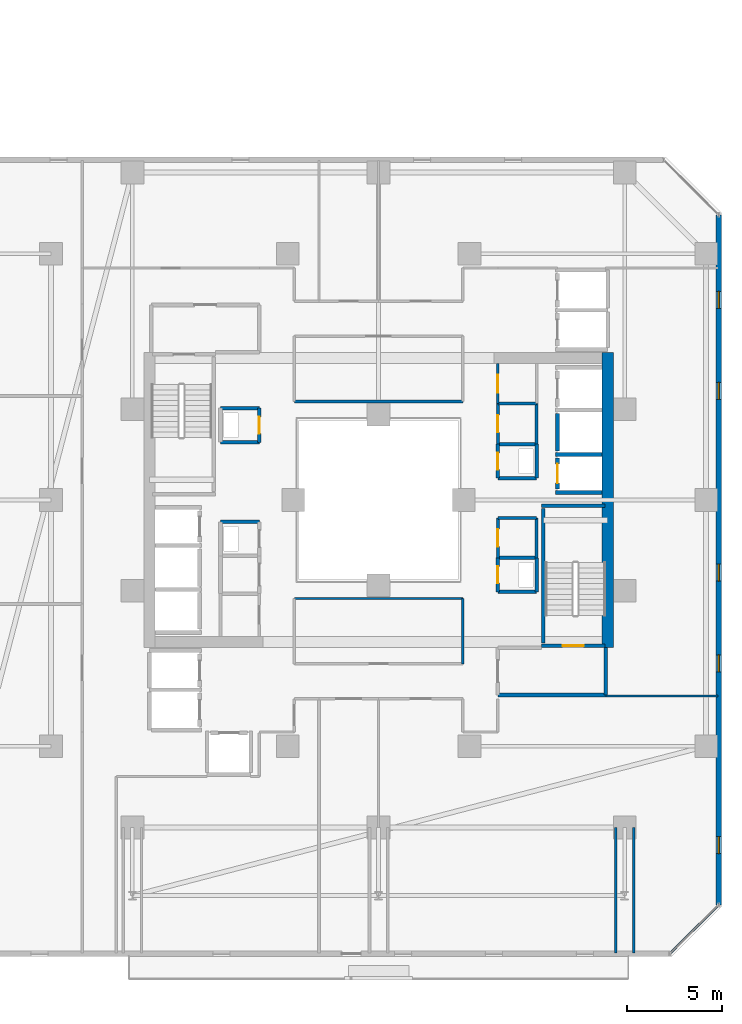
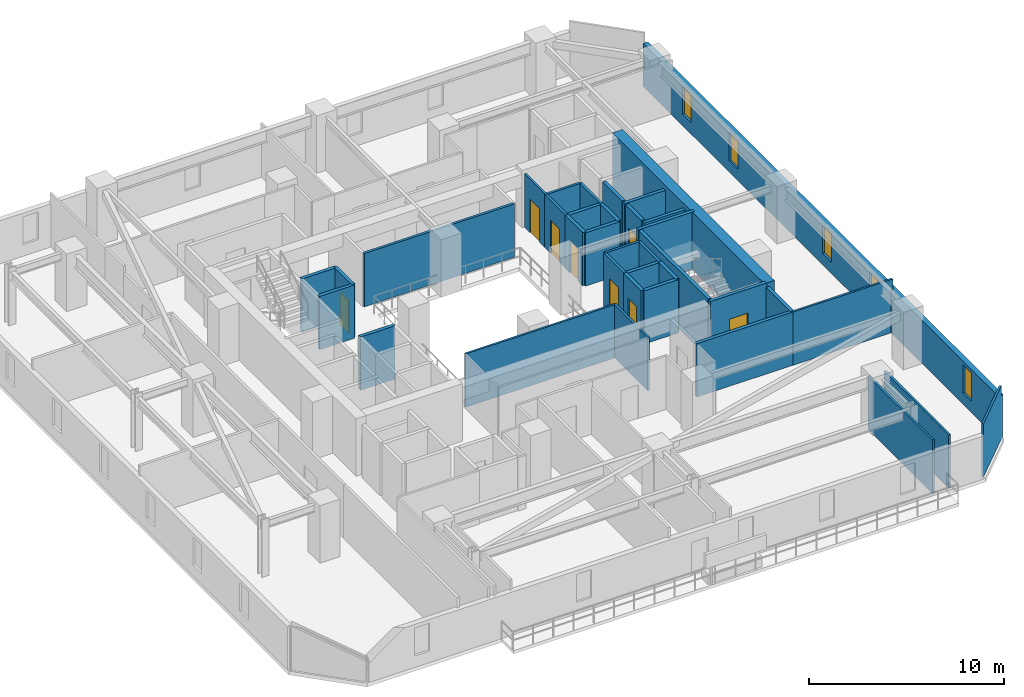
# One storey, part 25 of 33: 37 walls, 8 doors, 5 windows, 13 openings.
"""IFC4 building model written with IfcOpenShell, lengths in metres."""

from ifc_helpers import new_model, si_unit, direction, frame, frame_2d, origin, place, context, subcontext, project, spatial, rectangle, extrude, material, layer, layer_set, type_object, element, fill, save


model = new_model("IFC4")

# Units and contexts
model_context = context("Model", 3, precision=1e-05, world=origin(), true_north=direction((0.0, 1.0)))
body_context = subcontext(model_context, "Body", "Model", "MODEL_VIEW")
ifc_project = project(units=[si_unit("LENGTHUNIT", "METRE"), si_unit("AREAUNIT", "SQUARE_METRE"), si_unit("VOLUMEUNIT", "CUBIC_METRE"), si_unit("PLANEANGLEUNIT", "RADIAN"), si_unit("MASSUNIT", "GRAM", prefix="KILO")], contexts=[model_context])

# Site, building, storey
site_placement = place(None, origin())
site = spatial("IfcSite", under=ifc_project, at=site_placement, CompositionType="ELEMENT")
building_placement = place(site_placement, origin())
building = spatial("IfcBuilding", under=site, at=building_placement, Name="Thornwick Lancets Civic Towers", CompositionType="ELEMENT")
storey_placement = place(building_placement, frame((0.0, 0.0, 112.5)))
storey = spatial("IfcBuildingStorey", under=building, at=storey_placement, Name="L29", CompositionType="ELEMENT", Elevation=112.5)

# Wall, opening, door
ifc_material_1 = material(Name="Concrete blockwork C40/50", Category="masonry")
ifc_layer_1 = layer(ifc_material_1, 0.199951171875, Name="Concrete blockwork C40/50")
ifc_layer_set_1 = layer_set([ifc_layer_1], Name="Concrete blockwork C40/50")
wall_type_1 = type_object("IfcWallType", Name="WALL_COMP_200", PredefinedType="STANDARD", material=ifc_layer_set_1)
wall_1_placement = place(storey_placement, frame((97.949951171875, 29.219970703125, 0.0), z_axis=(0.0, 0.0, 1.0), x_axis=(0.0, -1.0, 0.0)))
wall_1 = element("IfcWall", 1, at=wall_1_placement, inside=storey, type_object=wall_type_1, Name="L29 Hoistway Front Wall FL-B1", PredefinedType="STANDARD", context=body_context, shape_type="SweptSolid", body=[
    extrude(rectangle(XDim=1.639892578125, YDim=0.199951171875, at=frame_2d((0.81982421875, 0.0))), origin(), (0.0, 0.0, 1.0), 3.340087890625),
])
opening_1_placement = place(wall_1_placement, frame((0.31005859375, 0.0, 0.0)))
opening_1 = element("IfcOpeningElement", 2, at=opening_1_placement, cuts=wall_1, Name="Opening LD-FL-B1", PredefinedType="OPENING", context=body_context, shape_type="SweptSolid", body=[
    extrude(rectangle(XDim=1.02001953125, YDim=2.06005859375, at=frame_2d((0.510009765625, 1.030029296875))), frame((0.0, 0.10986328125, 0.0), z_axis=(0.0, -1.0, 0.0), x_axis=(1.0, 0.0, 0.0)), (0.0, 0.0, 1.0), 0.219970703125),
])
ifc_material_2 = material(Name="Brushed bronze stainless steel", Category="steel")
door_type_1 = type_object("IfcDoorType", Name="DOOR_LIFT_SLIDE", OperationType="SLIDING_TO_LEFT", PredefinedType="DOOR", material=ifc_material_2)
door_1_placement = place(opening_1_placement, origin())
door_1 = element("IfcDoor", 3, at=door_1_placement, inside=storey, type_object=door_type_1, Name="L29 Sliding Lift Landing Door LD-FL-B1", OperationType="SLIDING_TO_LEFT", OverallHeight=2.06005859375, OverallWidth=1.02001953125, PredefinedType="DOOR", context=body_context, shape_type="SweptSolid", body=[
    extrude(rectangle(XDim=1.02001953125, YDim=2.06005859375, at=frame_2d((0.510009765625, 1.030029296875))), frame((0.0, 0.02490234375, 0.0), z_axis=(0.0, -1.0, 0.0), x_axis=(1.0, 0.0, 0.0)), (0.0, 0.0, 1.0), 0.050048828125),
])
fill(opening_1, door_1)

# Walls
wall_2_placement = place(storey_placement, frame((97.949951171875, 31.570068359375, 0.0), z_axis=(0.0, 0.0, 1.0), x_axis=(0.0, -1.0, 0.0)))
element("IfcWall", 4, at=wall_2_placement, inside=storey, type_object=wall_type_1, Name="L29 Hoistway Front Wall PL-BH1", PredefinedType="STANDARD", context=body_context, shape_type="SweptSolid", body=[
    extrude(rectangle(XDim=1.989990234375, YDim=0.199951171875, at=frame_2d((0.9951171875, 0.0))), origin(), (0.0, 0.0, 1.0), 3.340087890625),
])
for number, where, z_axis, x_axis, name in (
    (5, (97.85205078125, 29.39990234375, 0.0), (0.0, 0.0, 1.0), (1.0, 0.0, 0.0), "L29 Hoistway Shaft Wall FL-B1 N"),
    (6, (97.85205078125, 27.39990234375, 0.0), (0.0, 0.0, 1.0), (1.0, 0.0, 0.0), "L29 Hoistway Shaft Wall FL-B1 S"),
):
    element("IfcWall", number, at=place(storey_placement, frame(where, z_axis=z_axis, x_axis=x_axis)), inside=storey, type_object=wall_type_1, Name=name, PredefinedType="STANDARD", context=body_context, shape_type="SweptSolid", body=[
        extrude(rectangle(XDim=2.43603515625, YDim=0.199951171875, at=frame_2d((1.218017578125, 0.0))), origin(), (0.0, 0.0, 1.0), 3.340087890625),
    ])
wall_3_placement = place(storey_placement, frame((94.800048828125, 16.699951171875, 0.0), z_axis=(0.0, 0.0, 1.0), x_axis=(1.0, 0.0, 0.0)))
element("IfcWall", 7, at=wall_3_placement, inside=storey, type_object=wall_type_1, Name="L29 Partition L29-B-FFLOB1 E1", PredefinedType="STANDARD", context=body_context, shape_type="SweptSolid", body=[
    extrude(rectangle(XDim=5.699951171875, YDim=0.199951171875, at=frame_2d((2.85009765625, 0.0))), origin(), (0.0, 0.0, 1.0), 3.340087890625),
])
wall_4_placement = place(storey_placement, frame((100.5, 16.699951171875, 0.0), z_axis=(0.0, 0.0, 1.0), x_axis=(0.0, 1.0, 0.0)))
element("IfcWall", 8, at=wall_4_placement, inside=storey, type_object=wall_type_1, Name="L29 Partition L29-B-FFLOB1 E2", PredefinedType="STANDARD", context=body_context, shape_type="SweptSolid", body=[
    extrude(rectangle(XDim=2.5, YDim=0.199951171875, at=frame_2d((1.25, 0.0))), origin(), (0.0, 0.0, 1.0), 3.340087890625),
])
wall_5_placement = place(storey_placement, frame((94.800048828125, 28.14990234375, 0.0), z_axis=(0.0, 0.0, 1.0), x_axis=(1.0, 0.0, 0.0)))
element("IfcWall", 9, at=wall_5_placement, inside=storey, type_object=wall_type_1, Name="L29 Partition L29-B-DUCT1 E1", PredefinedType="STANDARD", context=body_context, shape_type="SweptSolid", body=[
    extrude(rectangle(XDim=2.050048828125, YDim=0.199951171875, at=frame_2d((1.02490234375, 0.0))), origin(), (0.0, 0.0, 1.0), 3.340087890625),
])
wall_6_placement = place(storey_placement, frame((96.85009765625, 28.14990234375, 0.0), z_axis=(0.0, 0.0, 1.0), x_axis=(0.0, 1.0, 0.0)))
element("IfcWall", 10, at=wall_6_placement, inside=storey, type_object=wall_type_1, Name="L29 Partition L29-B-DUCT1 E2", PredefinedType="STANDARD", context=body_context, shape_type="SweptSolid", body=[
    extrude(rectangle(XDim=1.800048828125, YDim=0.199951171875, at=frame_2d((0.89990234375, 0.0))), origin(), (0.0, 0.0, 1.0), 3.340087890625),
])
wall_7_placement = place(storey_placement, frame((96.85009765625, 29.949951171875, 0.0), z_axis=(0.0, 0.0, 1.0), x_axis=(-1.0, 0.0, 0.0)))
element("IfcWall", 11, at=wall_7_placement, inside=storey, type_object=wall_type_1, Name="L29 Partition L29-B-DUCT1 E3", PredefinedType="STANDARD", context=body_context, shape_type="SweptSolid", body=[
    extrude(rectangle(XDim=2.050048828125, YDim=0.199951171875, at=frame_2d((1.02490234375, 0.0))), origin(), (0.0, 0.0, 1.0), 3.340087890625),
])

# Wall, opening, door
wall_8_placement = place(storey_placement, frame((94.800048828125, 29.949951171875, 0.0), z_axis=(0.0, 0.0, 1.0), x_axis=(0.0, -1.0, 0.0)))
wall_8 = element("IfcWall", 12, at=wall_8_placement, inside=storey, type_object=wall_type_1, Name="L29 Partition L29-B-DUCT1 E4", PredefinedType="STANDARD", context=body_context, shape_type="SweptSolid", body=[
    extrude(rectangle(XDim=1.800048828125, YDim=0.199951171875, at=frame_2d((0.89990234375, 0.0))), origin(), (0.0, 0.0, 1.0), 3.340087890625),
])
opening_2_placement = place(wall_8_placement, frame((0.4599609375, 0.0, 0.0)))
opening_2 = element("IfcOpeningElement", 13, at=opening_2_placement, cuts=wall_8, Name="Opening D-L29-1334", PredefinedType="OPENING", context=body_context, shape_type="SweptSolid", body=[
    extrude(rectangle(XDim=0.8798828125, YDim=2.0400390625, at=frame_2d((0.43994140625, 1.02001953125))), frame((0.0, 0.10986328125, 0.0), z_axis=(0.0, -1.0, 0.0), x_axis=(1.0, 0.0, 0.0)), (0.0, 0.0, 1.0), 0.219970703125),
])
ifc_material_3 = material(Name="Steel riser access doorset", Category="steel")
door_type_2 = type_object("IfcDoorType", Name="DOOR_RISER_850", OperationType="NOTDEFINED", PredefinedType="DOOR", material=ifc_material_3)
door_2_placement = place(opening_2_placement, origin())
door_2 = element("IfcDoor", 14, at=door_2_placement, inside=storey, type_object=door_type_2, Name="L29 East Service Duct 1 Door", OperationType="SINGLE_SWING_LEFT", OverallHeight=2.0400390625, OverallWidth=0.8798828125, PredefinedType="DOOR", context=body_context, shape_type="SweptSolid", body=[
    extrude(rectangle(XDim=0.8798828125, YDim=2.0400390625, at=frame_2d((0.43994140625, 1.02001953125))), frame((0.0, 0.02490234375, 0.0), z_axis=(0.0, -1.0, 0.0), x_axis=(1.0, 0.0, 0.0)), (0.0, 0.0, 1.0), 0.050048828125),
])
fill(opening_2, door_2)

# Walls
wall_9_placement = place(storey_placement, frame((94.800048828125, 22.14990234375, 0.0), z_axis=(0.0, 0.0, 1.0), x_axis=(1.0, 0.0, 0.0)))
element("IfcWall", 15, at=wall_9_placement, inside=storey, type_object=wall_type_1, Name="L29 Partition L29-B-RISER1 E1", PredefinedType="STANDARD", context=body_context, shape_type="SweptSolid", body=[
    extrude(rectangle(XDim=2.050048828125, YDim=0.199951171875, at=frame_2d((1.02490234375, 0.0))), origin(), (0.0, 0.0, 1.0), 3.340087890625),
])
wall_10_placement = place(storey_placement, frame((96.85009765625, 22.14990234375, 0.0), z_axis=(0.0, 0.0, 1.0), x_axis=(0.0, 1.0, 0.0)))
element("IfcWall", 16, at=wall_10_placement, inside=storey, type_object=wall_type_1, Name="L29 Partition L29-B-RISER1 E2", PredefinedType="STANDARD", context=body_context, shape_type="SweptSolid", body=[
    extrude(rectangle(XDim=1.800048828125, YDim=0.199951171875, at=frame_2d((0.89990234375, 0.0))), origin(), (0.0, 0.0, 1.0), 3.340087890625),
])
wall_11_placement = place(storey_placement, frame((96.85009765625, 23.949951171875, 0.0), z_axis=(0.0, 0.0, 1.0), x_axis=(-1.0, 0.0, 0.0)))
element("IfcWall", 17, at=wall_11_placement, inside=storey, type_object=wall_type_1, Name="L29 Partition L29-B-RISER1 E3", PredefinedType="STANDARD", context=body_context, shape_type="SweptSolid", body=[
    extrude(rectangle(XDim=2.050048828125, YDim=0.199951171875, at=frame_2d((1.02490234375, 0.0))), origin(), (0.0, 0.0, 1.0), 3.340087890625),
])

# Wall, opening, door
wall_12_placement = place(storey_placement, frame((94.800048828125, 23.949951171875, 0.0), z_axis=(0.0, 0.0, 1.0), x_axis=(0.0, -1.0, 0.0)))
wall_12 = element("IfcWall", 18, at=wall_12_placement, inside=storey, type_object=wall_type_1, Name="L29 Partition L29-B-RISER1 E4", PredefinedType="STANDARD", context=body_context, shape_type="SweptSolid", body=[
    extrude(rectangle(XDim=1.800048828125, YDim=0.199951171875, at=frame_2d((0.89990234375, 0.0))), origin(), (0.0, 0.0, 1.0), 3.340087890625),
])
opening_3_placement = place(wall_12_placement, frame((0.4599609375, 0.0, 0.0)))
opening_3 = element("IfcOpeningElement", 19, at=opening_3_placement, cuts=wall_12, Name="Opening D-L29-1335", PredefinedType="OPENING", context=body_context, shape_type="SweptSolid", body=[
    extrude(rectangle(XDim=0.8798828125, YDim=2.0400390625, at=frame_2d((0.43994140625, 1.02001953125))), frame((0.0, 0.10986328125, 0.0), z_axis=(0.0, -1.0, 0.0), x_axis=(1.0, 0.0, 0.0)), (0.0, 0.0, 1.0), 0.219970703125),
])
door_3_placement = place(opening_3_placement, origin())
door_3 = element("IfcDoor", 20, at=door_3_placement, inside=storey, type_object=door_type_2, Name="L29 East Electrical Riser 1 Door", OperationType="SINGLE_SWING_RIGHT", OverallHeight=2.0400390625, OverallWidth=0.8798828125, PredefinedType="DOOR", context=body_context, shape_type="SweptSolid", body=[
    extrude(rectangle(XDim=0.8798828125, YDim=2.0400390625, at=frame_2d((0.43994140625, 1.02001953125))), frame((0.0, 0.02490234375, 0.0), z_axis=(0.0, -1.0, 0.0), x_axis=(1.0, 0.0, 0.0)), (0.0, 0.0, 1.0), 0.050048828125),
])
fill(opening_3, door_3)

# Walls
for number, where, z_axis, x_axis, name in (
    (21, (82.199951171875, 25.85009765625, 0.0), (0.0, 0.0, 1.0), (-1.0, 0.0, 0.0), "L29 Partition L29-B-DUCT2 E3"),
    (22, (80.14990234375, 30.050048828125, 0.0), (0.0, 0.0, 1.0), (1.0, 0.0, 0.0), "L29 Partition L29-B-RISER2 E1"),
):
    element("IfcWall", number, at=place(storey_placement, frame(where, z_axis=z_axis, x_axis=x_axis)), inside=storey, type_object=wall_type_1, Name=name, PredefinedType="STANDARD", context=body_context, shape_type="SweptSolid", body=[
        extrude(rectangle(XDim=2.050048828125, YDim=0.199951171875, at=frame_2d((1.02490234375, 0.0))), origin(), (0.0, 0.0, 1.0), 3.340087890625),
    ])

# Wall, opening, door
wall_13_placement = place(storey_placement, frame((82.199951171875, 30.050048828125, 0.0), z_axis=(0.0, 0.0, 1.0), x_axis=(0.0, 1.0, 0.0)))
wall_13 = element("IfcWall", 23, at=wall_13_placement, inside=storey, type_object=wall_type_1, Name="L29 Partition L29-B-RISER2 E2", PredefinedType="STANDARD", context=body_context, shape_type="SweptSolid", body=[
    extrude(rectangle(XDim=1.800048828125, YDim=0.199951171875, at=frame_2d((0.89990234375, 0.0))), origin(), (0.0, 0.0, 1.0), 3.340087890625),
])
opening_4_placement = place(wall_13_placement, frame((0.4599609375, 0.0, 0.0)))
opening_4 = element("IfcOpeningElement", 24, at=opening_4_placement, cuts=wall_13, Name="Opening D-L29-1337", PredefinedType="OPENING", context=body_context, shape_type="SweptSolid", body=[
    extrude(rectangle(XDim=0.8798828125, YDim=2.0400390625, at=frame_2d((0.43994140625, 1.02001953125))), frame((0.0, 0.10986328125, 0.0), z_axis=(0.0, -1.0, 0.0), x_axis=(1.0, 0.0, 0.0)), (0.0, 0.0, 1.0), 0.219970703125),
])
door_4_placement = place(opening_4_placement, origin())
door_4 = element("IfcDoor", 25, at=door_4_placement, inside=storey, type_object=door_type_2, Name="L29 West Service Riser 2 Door", OperationType="SINGLE_SWING_RIGHT", OverallHeight=2.0400390625, OverallWidth=0.8798828125, PredefinedType="DOOR", context=body_context, shape_type="SweptSolid", body=[
    extrude(rectangle(XDim=0.8798828125, YDim=2.0400390625, at=frame_2d((0.43994140625, 1.02001953125))), frame((0.0, 0.02490234375, 0.0), z_axis=(0.0, -1.0, 0.0), x_axis=(1.0, 0.0, 0.0)), (0.0, 0.0, 1.0), 0.050048828125),
])
fill(opening_4, door_4)

# Walls
wall_14_placement = place(storey_placement, frame((82.199951171875, 31.85009765625, 0.0), z_axis=(0.0, 0.0, 1.0), x_axis=(-1.0, 0.0, 0.0)))
element("IfcWall", 26, at=wall_14_placement, inside=storey, type_object=wall_type_1, Name="L29 Partition L29-B-RISER2 E3", PredefinedType="STANDARD", context=body_context, shape_type="SweptSolid", body=[
    extrude(rectangle(XDim=2.050048828125, YDim=0.199951171875, at=frame_2d((1.02490234375, 0.0))), origin(), (0.0, 0.0, 1.0), 3.340087890625),
])
ifc_material_4 = material(Name="Concrete C60/75", Category="concrete")
ifc_layer_2 = layer(ifc_material_4, 0.60009765625, Name="Concrete C60/75")
ifc_layer_set_2 = layer_set([ifc_layer_2], Name="Concrete C60/75")
wall_type_2 = type_object("IfcWallType", Name="WALL_CORE_600", PredefinedType="SHEAR", material=ifc_layer_set_2)
wall_15_placement = place(storey_placement, frame((100.60009765625, 19.199951171875, 0.0), z_axis=(0.0, 0.0, 1.0), x_axis=(0.0, 1.0, 0.0)))
element("IfcWall", 27, at=wall_15_placement, inside=storey, type_object=wall_type_2, Name="L29 Split Core B1 Shear Wall E", PredefinedType="SHEAR", context=body_context, shape_type="SweptSolid", body=[
    extrude(rectangle(XDim=15.60009765625, YDim=0.60009765625, at=frame_2d((7.800048828125, 0.0))), origin(), (0.0, 0.0, 1.0), 3.60009765625),
])

# Wall, openings, windows
ifc_material_5 = material(Name="Insulated russet terracotta rainscreen on concrete C40/50", Category="masonry")
ifc_layer_3 = layer(ifc_material_5, 0.300048828125, Name="Insulated russet terracotta rainscreen on concrete C40/50")
ifc_layer_set_3 = layer_set([ifc_layer_3], Name="Insulated russet terracotta rainscreen on concrete C40/50")
wall_type_3 = type_object("IfcWallType", Name="WALL_EXT_RUSSET_300", PredefinedType="STANDARD", material=ifc_layer_set_3)
wall_16_placement = place(storey_placement, frame((106.464599609375, 5.61865234375, 0.0), z_axis=(0.0, 0.0, 1.0), x_axis=(-2.6801568e-05, 0.999999999641, 0.0)))
wall_16 = element("IfcWall", 28, at=wall_16_placement, inside=storey, type_object=wall_type_3, Name="L29 Tower B Terracotta Facade Wall E2", PredefinedType="STANDARD", context=body_context, shape_type="SweptSolid", body=[
    extrude(rectangle(XDim=36.436767578125, YDim=0.300048828125, at=frame_2d((18.21826171875, 0.0))), origin(), (0.0, 0.0, 1.0), 2.699951171875),
])
opening_5_placement = place(wall_16_placement, frame((2.699951171875, 0.0, 0.719970703125)))
opening_5 = element("IfcOpeningElement", 29, at=opening_5_placement, cuts=wall_16, Name="Opening WL-01", PredefinedType="OPENING", context=body_context, shape_type="SweptSolid", body=[
    extrude(rectangle(XDim=0.89990234375, YDim=1.75, at=frame_2d((0.449951171875, 0.875))), frame((0.0, 0.16015625, 0.0), z_axis=(0.0, -1.0, 0.0), x_axis=(1.0, 0.0, 0.0)), (0.0, 0.0, 1.0), 0.320068359375),
])
opening_6_placement = place(wall_16_placement, frame((12.300048828125, 0.0, 0.719970703125)))
opening_6 = element("IfcOpeningElement", 30, at=opening_6_placement, cuts=wall_16, Name="Opening WL-01", PredefinedType="OPENING", context=body_context, shape_type="SweptSolid", body=[
    extrude(rectangle(XDim=0.89990234375, YDim=1.75, at=frame_2d((0.449951171875, 0.875))), frame((0.0, 0.16015625, 0.0), z_axis=(0.0, -1.0, 0.0), x_axis=(1.0, 0.0, 0.0)), (0.0, 0.0, 1.0), 0.320068359375),
])
opening_7_placement = place(wall_16_placement, frame((17.10009765625, 0.0, 0.719970703125)))
opening_7 = element("IfcOpeningElement", 31, at=opening_7_placement, cuts=wall_16, Name="Opening WL-01", PredefinedType="OPENING", context=body_context, shape_type="SweptSolid", body=[
    extrude(rectangle(XDim=0.89990234375, YDim=1.75, at=frame_2d((0.449951171875, 0.875))), frame((0.0, 0.16015625, 0.0), z_axis=(0.0, -1.0, 0.0), x_axis=(1.0, 0.0, 0.0)), (0.0, 0.0, 1.0), 0.320068359375),
])
opening_8_placement = place(wall_16_placement, frame((26.699951171875, 0.0, 0.719970703125)))
opening_8 = element("IfcOpeningElement", 32, at=opening_8_placement, cuts=wall_16, Name="Opening WL-01", PredefinedType="OPENING", context=body_context, shape_type="SweptSolid", body=[
    extrude(rectangle(XDim=0.89990234375, YDim=1.75, at=frame_2d((0.449951171875, 0.875))), frame((0.0, 0.16015625, 0.0), z_axis=(0.0, -1.0, 0.0), x_axis=(1.0, 0.0, 0.0)), (0.0, 0.0, 1.0), 0.320068359375),
])
opening_9_placement = place(wall_16_placement, frame((31.5, 0.0, 0.719970703125)))
opening_9 = element("IfcOpeningElement", 33, at=opening_9_placement, cuts=wall_16, Name="Opening WL-01", PredefinedType="OPENING", context=body_context, shape_type="SweptSolid", body=[
    extrude(rectangle(XDim=0.89990234375, YDim=1.75, at=frame_2d((0.449951171875, 0.875))), frame((0.0, 0.16015625, 0.0), z_axis=(0.0, -1.0, 0.0), x_axis=(1.0, 0.0, 0.0)), (0.0, 0.0, 1.0), 0.320068359375),
])
ifc_material_6 = material(Name="Clear low-e double glazing in bronze frame", Category="glass")
window_type = type_object("IfcWindowType", Name="WIN_LANCET_900", PartitioningType="SINGLE_PANEL", PredefinedType="WINDOW", material=ifc_material_6)
window_1_placement = place(opening_5_placement, origin())
window_1 = element("IfcWindow", 34, at=window_1_placement, inside=storey, type_object=window_type, Name="L29 Tower B Staggered Lancet Window E2-1", OverallHeight=1.75, OverallWidth=0.89990234375, PartitioningType="SINGLE_PANEL", PredefinedType="WINDOW", context=body_context, shape_type="SweptSolid", body=[
    extrude(rectangle(XDim=0.89990234375, YDim=1.75, at=frame_2d((0.449951171875, 0.875))), frame((0.0, 0.030029296875, 0.0), z_axis=(0.0, -1.0, 0.0), x_axis=(1.0, 0.0, 0.0)), (0.0, 0.0, 1.0), 0.06005859375),
])
fill(opening_5, window_1)
window_2_placement = place(opening_6_placement, origin())
window_2 = element("IfcWindow", 35, at=window_2_placement, inside=storey, type_object=window_type, Name="L29 Tower B Staggered Lancet Window E2-2", OverallHeight=1.75, OverallWidth=0.89990234375, PartitioningType="SINGLE_PANEL", PredefinedType="WINDOW", context=body_context, shape_type="SweptSolid", body=[
    extrude(rectangle(XDim=0.89990234375, YDim=1.75, at=frame_2d((0.449951171875, 0.875))), frame((0.0, 0.030029296875, 0.0), z_axis=(0.0, -1.0, 0.0), x_axis=(1.0, 0.0, 0.0)), (0.0, 0.0, 1.0), 0.06005859375),
])
fill(opening_6, window_2)
window_3_placement = place(opening_7_placement, origin())
window_3 = element("IfcWindow", 36, at=window_3_placement, inside=storey, type_object=window_type, Name="L29 Tower B Staggered Lancet Window E2-3", OverallHeight=1.75, OverallWidth=0.89990234375, PartitioningType="SINGLE_PANEL", PredefinedType="WINDOW", context=body_context, shape_type="SweptSolid", body=[
    extrude(rectangle(XDim=0.89990234375, YDim=1.75, at=frame_2d((0.449951171875, 0.875))), frame((0.0, 0.030029296875, 0.0), z_axis=(0.0, -1.0, 0.0), x_axis=(1.0, 0.0, 0.0)), (0.0, 0.0, 1.0), 0.06005859375),
])
fill(opening_7, window_3)
window_4_placement = place(opening_8_placement, origin())
window_4 = element("IfcWindow", 37, at=window_4_placement, inside=storey, type_object=window_type, Name="L29 Tower B Staggered Lancet Window E2-4", OverallHeight=1.75, OverallWidth=0.89990234375, PartitioningType="SINGLE_PANEL", PredefinedType="WINDOW", context=body_context, shape_type="SweptSolid", body=[
    extrude(rectangle(XDim=0.89990234375, YDim=1.75, at=frame_2d((0.449951171875, 0.875))), frame((0.0, 0.030029296875, 0.0), z_axis=(0.0, -1.0, 0.0), x_axis=(1.0, 0.0, 0.0)), (0.0, 0.0, 1.0), 0.06005859375),
])
fill(opening_8, window_4)
window_5_placement = place(opening_9_placement, origin())
window_5 = element("IfcWindow", 38, at=window_5_placement, inside=storey, type_object=window_type, Name="L29 Tower B Staggered Lancet Window E2-5", OverallHeight=1.75, OverallWidth=0.89990234375, PartitioningType="SINGLE_PANEL", PredefinedType="WINDOW", context=body_context, shape_type="SweptSolid", body=[
    extrude(rectangle(XDim=0.89990234375, YDim=1.75, at=frame_2d((0.449951171875, 0.875))), frame((0.0, 0.030029296875, 0.0), z_axis=(0.0, -1.0, 0.0), x_axis=(1.0, 0.0, 0.0)), (0.0, 0.0, 1.0), 0.06005859375),
])
fill(opening_9, window_5)

# Wall, opening, door
ifc_material_7 = material(Name="Acoustic gypsum board partition")
ifc_layer_4 = layer(ifc_material_7, 0.1201171875, Name="Acoustic gypsum board partition")
ifc_layer_set_4 = layer_set([ifc_layer_4], Name="Acoustic gypsum board partition")
wall_type_4 = type_object("IfcWallType", Name="WALL_PART_120", PredefinedType="PARTITIONING", material=ifc_layer_set_4)
wall_17_placement = place(storey_placement, frame((94.800048828125, 32.10009765625, 0.0), z_axis=(0.0, 0.0, 1.0), x_axis=(0.0, 1.0, 0.0)))
wall_17 = element("IfcWall", 39, at=wall_17_placement, inside=storey, type_object=wall_type_4, Name="L29 Partition L29-B-ITR E1", PredefinedType="PARTITIONING", context=body_context, shape_type="SweptSolid", body=[
    extrude(rectangle(XDim=2.099853515625, YDim=0.1201171875, at=frame_2d((1.0498046875, 0.0))), origin(), (0.0, 0.0, 1.0), 3.340087890625),
])
opening_10_placement = place(wall_17_placement, frame((0.574951171875, 0.0, 0.0)))
opening_10 = element("IfcOpeningElement", 40, at=opening_10_placement, cuts=wall_17, Name="Opening D-L29-1340", PredefinedType="OPENING", context=body_context, shape_type="SweptSolid", body=[
    extrude(rectangle(XDim=0.949951171875, YDim=2.10009765625, at=frame_2d((0.47509765625, 1.050048828125))), frame((0.0, 0.070068359375, 0.0), z_axis=(0.0, -1.0, 0.0), x_axis=(1.0, 0.0, 0.0)), (0.0, 0.0, 1.0), 0.14013671875),
])
ifc_material_8 = material(Name="European oak acoustic doorset")
door_type_3 = type_object("IfcDoorType", Name="DOOR_OFFICE_950", OperationType="NOTDEFINED", PredefinedType="DOOR", material=ifc_material_8)
door_5_placement = place(opening_10_placement, origin())
door_5 = element("IfcDoor", 41, at=door_5_placement, inside=storey, type_object=door_type_3, Name="L29 Tower B Comms Patch Room Door", OperationType="SINGLE_SWING_LEFT", OverallHeight=2.10009765625, OverallWidth=0.949951171875, PredefinedType="DOOR", context=body_context, shape_type="SweptSolid", body=[
    extrude(rectangle(XDim=0.949951171875, YDim=2.10009765625, at=frame_2d((0.47509765625, 1.050048828125))), frame((0.0, 0.02490234375, 0.0), z_axis=(0.0, -1.0, 0.0), x_axis=(1.0, 0.0, 0.0)), (0.0, 0.0, 1.0), 0.050048828125),
])
fill(opening_10, door_5)

# Walls
wall_18_placement = place(storey_placement, frame((100.5, 16.64990234375, 0.0), z_axis=(0.0, 0.0, 1.0), x_axis=(1.0, 0.0, 0.0)))
element("IfcWall", 42, at=wall_18_placement, inside=storey, type_object=wall_type_4, Name="L29 Partition L29-B-W1 E5", PredefinedType="PARTITIONING", context=body_context, shape_type="SweptSolid", body=[
    extrude(rectangle(XDim=5.919921875, YDim=0.1201171875, at=frame_2d((2.9599609375, 0.0))), origin(), (0.0, 0.0, 1.0), 3.340087890625),
])
wall_19_placement = place(storey_placement, frame((106.419921875, 5.57470703125, 0.0), z_axis=(0.0, 0.0, 1.0), x_axis=(-0.707106781187, -0.707106781187, 0.0)))
element("IfcWall", 43, at=wall_19_placement, inside=storey, type_object=wall_type_4, Name="L29 Partition L29-B-W1 E11", PredefinedType="PARTITIONING", context=body_context, shape_type="SweptSolid", body=[
    extrude(rectangle(XDim=3.52783203125, YDim=0.1201171875, at=frame_2d((1.763916015625, 0.0))), origin(), (0.0, 0.0, 1.0), 3.340087890625),
])
for number, where, z_axis, x_axis, name in (
    (44, (101.97998046875, 3.080078125, 0.0), (0.0, 0.0, 1.0), (0.0, 1.0, 0.0), "L29 Partition L29-B-W1 E13"),
    (45, (101.02001953125, 9.699951171875, 0.0), (0.0, 0.0, 1.0), (0.0, -1.0, 0.0), "L29 Partition L29-B-W1 E15"),
):
    element("IfcWall", number, at=place(storey_placement, frame(where, z_axis=z_axis, x_axis=x_axis)), inside=storey, type_object=wall_type_4, Name=name, PredefinedType="PARTITIONING", context=body_context, shape_type="SweptSolid", body=[
        extrude(rectangle(XDim=6.619873046875, YDim=0.1201171875, at=frame_2d((3.31005859375, 0.0))), origin(), (0.0, 0.0, 1.0), 3.340087890625),
    ])
wall_20_placement = place(storey_placement, frame((84.050048828125, 21.800048828125, 0.0), z_axis=(0.0, 0.0, 1.0), x_axis=(1.0, 0.0, 0.0)))
element("IfcWall", 46, at=wall_20_placement, inside=storey, type_object=wall_type_4, Name="L29 Partition L29-B-ATR-W E2", PredefinedType="PARTITIONING", context=body_context, shape_type="SweptSolid", body=[
    extrude(rectangle(XDim=8.89990234375, YDim=0.1201171875, at=frame_2d((4.449951171875, 0.0))), origin(), (0.0, 0.0, 1.0), 3.340087890625),
])
wall_21_placement = place(storey_placement, frame((92.949951171875, 21.800048828125, 0.0), z_axis=(0.0, 0.0, 1.0), x_axis=(0.0, -1.0, 0.0)))
element("IfcWall", 47, at=wall_21_placement, inside=storey, type_object=wall_type_4, Name="L29 Partition L29-B-ATR-W E3", PredefinedType="PARTITIONING", context=body_context, shape_type="SweptSolid", body=[
    extrude(rectangle(XDim=3.449951171875, YDim=0.1201171875, at=frame_2d((1.72509765625, 0.0))), origin(), (0.0, 0.0, 1.0), 3.340087890625),
])

# Wall, opening, door
ifc_material_9 = material(Name="Twin-stud acoustic gypsum board")
ifc_layer_5 = layer(ifc_material_9, 0.14990234375, Name="Twin-stud acoustic gypsum board")
ifc_layer_set_5 = layer_set([ifc_layer_5], Name="Twin-stud acoustic gypsum board")
wall_type_5 = type_object("IfcWallType", Name="WALL_PART_150", PredefinedType="PARTITIONING", material=ifc_layer_set_5)
wall_22_placement = place(storey_placement, frame((94.800048828125, 23.949951171875, 0.0), z_axis=(0.0, 0.0, 1.0), x_axis=(0.0, 1.0, 0.0)))
wall_22 = element("IfcWall", 48, at=wall_22_placement, inside=storey, type_object=wall_type_5, Name="L29 Partition L29-B-MWC E1", PredefinedType="PARTITIONING", context=body_context, shape_type="SweptSolid", body=[
    extrude(rectangle(XDim=2.10009765625, YDim=0.14990234375, at=frame_2d((1.050048828125, 0.0))), origin(), (0.0, 0.0, 1.0), 3.340087890625),
])
opening_11_placement = place(wall_22_placement, frame((0.590087890625, 0.0, 0.0)))
opening_11 = element("IfcOpeningElement", 49, at=opening_11_placement, cuts=wall_22, Name="Opening D-L29-1338", PredefinedType="OPENING", context=body_context, shape_type="SweptSolid", body=[
    extrude(rectangle(XDim=0.919921875, YDim=2.080078125, at=frame_2d((0.4599609375, 1.0400390625))), frame((0.0, 0.0849609375, 0.0), z_axis=(0.0, -1.0, 0.0), x_axis=(1.0, 0.0, 0.0)), (0.0, 0.0, 1.0), 0.169921875),
])
ifc_material_10 = material(Name="Moisture-resistant oak doorset")
door_type_4 = type_object("IfcDoorType", Name="DOOR_WC_900", OperationType="NOTDEFINED", PredefinedType="DOOR", material=ifc_material_10)
door_6_placement = place(opening_11_placement, origin())
door_6 = element("IfcDoor", 50, at=door_6_placement, inside=storey, type_object=door_type_4, Name="L29 Tower B Male WC Door", OperationType="SINGLE_SWING_LEFT", OverallHeight=2.080078125, OverallWidth=0.919921875, PredefinedType="DOOR", context=body_context, shape_type="SweptSolid", body=[
    extrude(rectangle(XDim=0.919921875, YDim=2.080078125, at=frame_2d((0.4599609375, 1.0400390625))), frame((0.0, 0.02490234375, 0.0), z_axis=(0.0, -1.0, 0.0), x_axis=(1.0, 0.0, 0.0)), (0.0, 0.0, 1.0), 0.050048828125),
])
fill(opening_11, door_6)

# Walls
wall_23_placement = place(storey_placement, frame((94.800048828125, 26.050048828125, 0.0), z_axis=(0.0, 0.0, 1.0), x_axis=(1.0, 0.0, 0.0)))
element("IfcWall", 51, at=wall_23_placement, inside=storey, type_object=wall_type_5, Name="L29 Partition L29-B-MWC E2", PredefinedType="PARTITIONING", context=body_context, shape_type="SweptSolid", body=[
    extrude(rectangle(XDim=2.050048828125, YDim=0.14990234375, at=frame_2d((1.02490234375, 0.0))), origin(), (0.0, 0.0, 1.0), 3.340087890625),
])
wall_24_placement = place(storey_placement, frame((96.85009765625, 26.050048828125, 0.0), z_axis=(0.0, 0.0, 1.0), x_axis=(0.0, -1.0, 0.0)))
element("IfcWall", 52, at=wall_24_placement, inside=storey, type_object=wall_type_5, Name="L29 Partition L29-B-MWC E3", PredefinedType="PARTITIONING", context=body_context, shape_type="SweptSolid", body=[
    extrude(rectangle(XDim=2.10009765625, YDim=0.14990234375, at=frame_2d((1.050048828125, 0.0))), origin(), (0.0, 0.0, 1.0), 3.340087890625),
])

# Wall, opening, door
wall_25_placement = place(storey_placement, frame((94.800048828125, 29.949951171875, 0.0), z_axis=(0.0, 0.0, 1.0), x_axis=(0.0, 1.0, 0.0)))
wall_25 = element("IfcWall", 53, at=wall_25_placement, inside=storey, type_object=wall_type_5, Name="L29 Partition L29-B-FWC E1", PredefinedType="PARTITIONING", context=body_context, shape_type="SweptSolid", body=[
    extrude(rectangle(XDim=2.150146484375, YDim=0.14990234375, at=frame_2d((1.0751953125, 0.0))), origin(), (0.0, 0.0, 1.0), 3.340087890625),
])
opening_12_placement = place(wall_25_placement, frame((0.614990234375, 0.0, 0.0)))
opening_12 = element("IfcOpeningElement", 54, at=opening_12_placement, cuts=wall_25, Name="Opening D-L29-1339", PredefinedType="OPENING", context=body_context, shape_type="SweptSolid", body=[
    extrude(rectangle(XDim=0.919921875, YDim=2.080078125, at=frame_2d((0.4599609375, 1.0400390625))), frame((0.0, 0.0849609375, 0.0), z_axis=(0.0, -1.0, 0.0), x_axis=(1.0, 0.0, 0.0)), (0.0, 0.0, 1.0), 0.169921875),
])
door_7_placement = place(opening_12_placement, origin())
door_7 = element("IfcDoor", 55, at=door_7_placement, inside=storey, type_object=door_type_4, Name="L29 Tower B Female WC Door", OperationType="SINGLE_SWING_RIGHT", OverallHeight=2.080078125, OverallWidth=0.919921875, PredefinedType="DOOR", context=body_context, shape_type="SweptSolid", body=[
    extrude(rectangle(XDim=0.919921875, YDim=2.080078125, at=frame_2d((0.4599609375, 1.0400390625))), frame((0.0, 0.02490234375, 0.0), z_axis=(0.0, -1.0, 0.0), x_axis=(1.0, 0.0, 0.0)), (0.0, 0.0, 1.0), 0.050048828125),
])
fill(opening_12, door_7)

# Walls
wall_26_placement = place(storey_placement, frame((94.800048828125, 32.10009765625, 0.0), z_axis=(0.0, 0.0, 1.0), x_axis=(1.0, 0.0, 0.0)))
element("IfcWall", 56, at=wall_26_placement, inside=storey, type_object=wall_type_5, Name="L29 Partition L29-B-FWC E2", PredefinedType="PARTITIONING", context=body_context, shape_type="SweptSolid", body=[
    extrude(rectangle(XDim=2.050048828125, YDim=0.14990234375, at=frame_2d((1.02490234375, 0.0))), origin(), (0.0, 0.0, 1.0), 3.340087890625),
])
wall_27_placement = place(storey_placement, frame((96.85009765625, 32.10009765625, 0.0), z_axis=(0.0, 0.0, 1.0), x_axis=(0.0, -1.0, 0.0)))
element("IfcWall", 57, at=wall_27_placement, inside=storey, type_object=wall_type_5, Name="L29 Partition L29-B-FWC E3", PredefinedType="PARTITIONING", context=body_context, shape_type="SweptSolid", body=[
    extrude(rectangle(XDim=2.150146484375, YDim=0.14990234375, at=frame_2d((1.0751953125, 0.0))), origin(), (0.0, 0.0, 1.0), 3.340087890625),
])
wall_28_placement = place(storey_placement, frame((92.949951171875, 32.199951171875, 0.0), z_axis=(0.0, 0.0, 1.0), x_axis=(-1.0, 0.0, 0.0)))
element("IfcWall", 58, at=wall_28_placement, inside=storey, type_object=wall_type_5, Name="L29 Partition L29-B-ATR-E E4", PredefinedType="PARTITIONING", context=body_context, shape_type="SweptSolid", body=[
    extrude(rectangle(XDim=8.89990234375, YDim=0.14990234375, at=frame_2d((4.449951171875, 0.0))), origin(), (0.0, 0.0, 1.0), 3.340087890625),
])

# Wall, opening, door
ifc_material_11 = material(Name="Concrete C40/50", Category="concrete")
ifc_layer_6 = layer(ifc_material_11, 0.199951171875, Name="Concrete C40/50")
ifc_layer_set_6 = layer_set([ifc_layer_6], Name="Concrete C40/50")
wall_type_6 = type_object("IfcWallType", Name="WALL_SHAFT_200", PredefinedType="SHEAR", material=ifc_layer_set_6)
wall_29_placement = place(storey_placement, frame((100.449951171875, 19.300048828125, 0.0), z_axis=(0.0, 0.0, 1.0), x_axis=(-1.0, 0.0, 0.0)))
wall_29 = element("IfcWall", 59, at=wall_29_placement, inside=storey, type_object=wall_type_6, Name="L29 ST-B1 Fire Stair Core Wall NEAR", PredefinedType="SHEAR", context=body_context, shape_type="SweptSolid", body=[
    extrude(rectangle(XDim=3.349853515625, YDim=0.199951171875, at=frame_2d((1.6748046875, 0.0))), origin(), (0.0, 0.0, 1.0), 3.60009765625),
])
opening_13_placement = place(wall_29_placement, frame((1.125, 0.0, 0.0)))
opening_13 = element("IfcOpeningElement", 60, at=opening_13_placement, cuts=wall_29, Name="Opening D-ST-B1-L29", PredefinedType="OPENING", context=body_context, shape_type="SweptSolid", body=[
    extrude(rectangle(XDim=1.10009765625, YDim=2.10009765625, at=frame_2d((0.550048828125, 1.050048828125))), frame((0.0, 0.10986328125, 0.0), z_axis=(0.0, -1.0, 0.0), x_axis=(1.0, 0.0, 0.0)), (0.0, 0.0, 1.0), 0.219970703125),
])
ifc_material_12 = material(Name="Fire-resisting steel and hardwood", Category="steel")
door_type_5 = type_object("IfcDoorType", Name="DOOR_STAIR_FD60", OperationType="NOTDEFINED", PredefinedType="DOOR", material=ifc_material_12)
door_8_placement = place(opening_13_placement, origin())
door_8 = element("IfcDoor", 61, at=door_8_placement, inside=storey, type_object=door_type_5, Name="L29 ST-B1 Exit Stair Door", OperationType="SINGLE_SWING_RIGHT", OverallHeight=2.10009765625, OverallWidth=1.10009765625, PredefinedType="DOOR", context=body_context, shape_type="SweptSolid", body=[
    extrude(rectangle(XDim=1.10009765625, YDim=2.10009765625, at=frame_2d((0.550048828125, 1.050048828125))), frame((0.0, 0.02490234375, 0.0), z_axis=(0.0, -1.0, 0.0), x_axis=(1.0, 0.0, 0.0)), (0.0, 0.0, 1.0), 0.050048828125),
])
fill(opening_13, door_8)

# Walls
wall_30_placement = place(storey_placement, frame((97.10009765625, 26.699951171875, 0.0), z_axis=(0.0, 0.0, 1.0), x_axis=(1.0, 0.0, 0.0)))
element("IfcWall", 62, at=wall_30_placement, inside=storey, type_object=wall_type_6, Name="L29 ST-B1 Fire Stair Core Wall FAR", PredefinedType="SHEAR", context=body_context, shape_type="SweptSolid", body=[
    extrude(rectangle(XDim=3.349853515625, YDim=0.199951171875, at=frame_2d((1.6748046875, 0.0))), origin(), (0.0, 0.0, 1.0), 3.60009765625),
])
wall_31_placement = place(storey_placement, frame((97.202880859375, 26.550048828125, 0.0), z_axis=(0.0, 0.0, 1.0), x_axis=(0.0, -1.0, 0.0)))
element("IfcWall", 63, at=wall_31_placement, inside=storey, type_object=wall_type_6, Name="L29 ST-B1 Fire Stair Core Wall RIGHT", PredefinedType="SHEAR", context=body_context, shape_type="SweptSolid", body=[
    extrude(rectangle(XDim=7.10009765625, YDim=0.199951171875, at=frame_2d((3.550048828125, 0.0))), origin(), (0.0, 0.0, 1.0), 3.60009765625),
])

save(model, "model.ifc")
